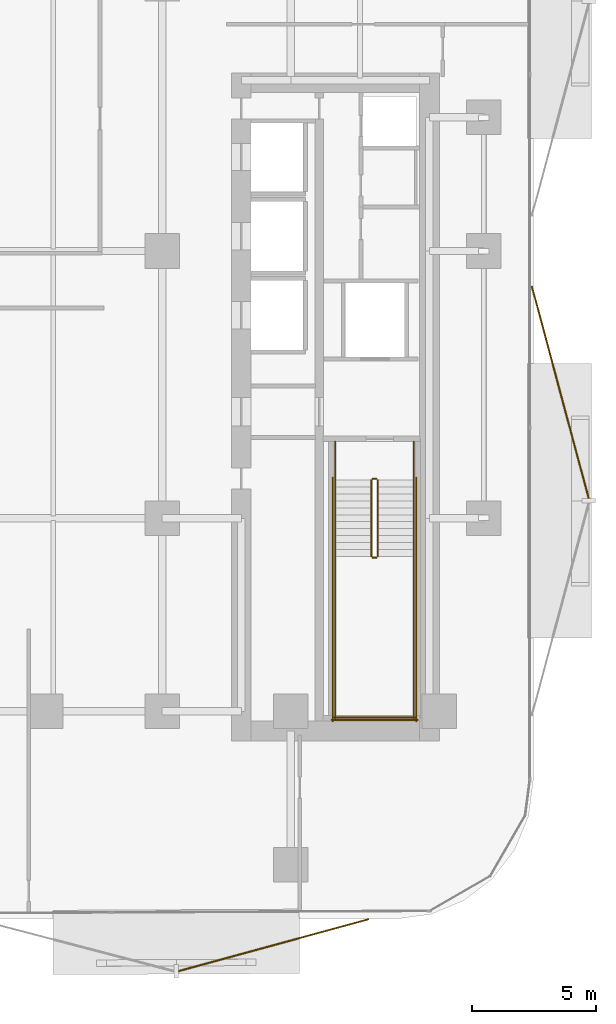
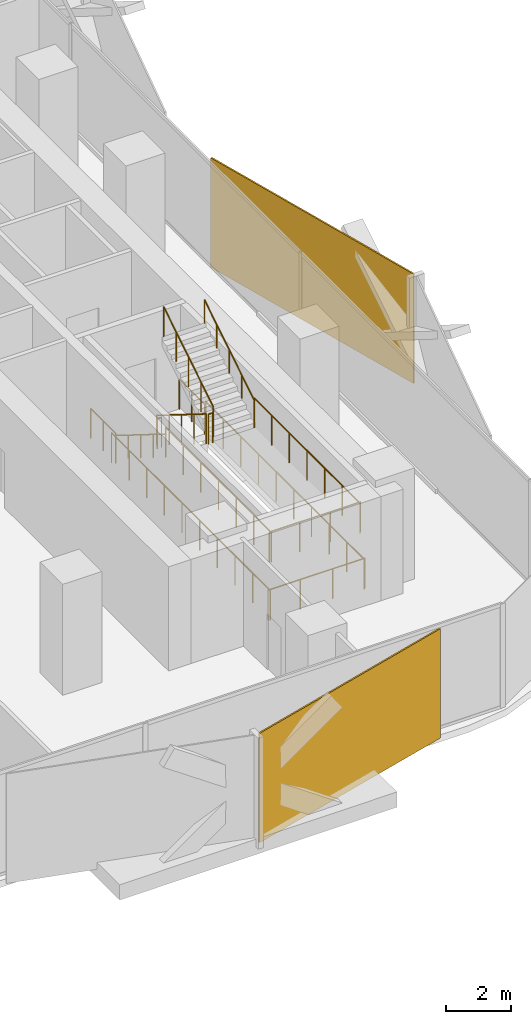
# One storey, part 14 of 16: 14 railings, 2 coverings.
"""IFC4 building model written with IfcOpenShell, lengths in metres."""

from ifc_helpers import new_model, si_unit, direction, frame, origin, origin_2d, place, context, subcontext, project, spatial, rectangle, circle, extrude, material, layer, layer_set, type_object, element, save


model = new_model("IFC4")

# Units and contexts
model_context = context("Model", 3, precision=1e-05, world=origin(), true_north=direction((0.0, 1.0)))
body_context = subcontext(model_context, "Body", "Model", "MODEL_VIEW")
ifc_project = project(units=[si_unit("LENGTHUNIT", "METRE"), si_unit("AREAUNIT", "SQUARE_METRE"), si_unit("VOLUMEUNIT", "CUBIC_METRE"), si_unit("PLANEANGLEUNIT", "RADIAN"), si_unit("MASSUNIT", "GRAM", prefix="KILO")], contexts=[model_context])

# Site, building, storey
site_placement = place(None, origin())
site = spatial("IfcSite", under=ifc_project, at=site_placement, CompositionType="ELEMENT")
building_placement = place(site_placement, origin())
building = spatial("IfcBuilding", under=site, at=building_placement, Name="Khairoan Windgate Tower", CompositionType="ELEMENT")
storey_placement = place(building_placement, frame((0.0, 0.0, 55.39990234375)))
storey = spatial("IfcBuildingStorey", under=building, at=storey_placement, Name="L13", CompositionType="ELEMENT", Elevation=55.39990234375)

# Coverings
ifc_material_1 = material(Name="Anodised Bronze Aluminium 6063-T6", Category="aluminium")
ifc_layer = layer(ifc_material_1, 0.054931640625, Name="Anodised Bronze Aluminium 6063-T6")
ifc_layer_set = layer_set([ifc_layer], Name="Anodised Bronze Aluminium 6063-T6")
covering_type = type_object("IfcCoveringType", Name="Perforated Bronze-Ceramic Folded Solar Screen Cladding BSC-1", PredefinedType="CLADDING", material=ifc_layer_set)
covering_1_placement = place(storey_placement, frame((13.705322265625, -28.052734375, -0.099609375), z_axis=(0.0, 0.0, 1.0), x_axis=(-0.964649468762, -0.263536339841, 0.0)))
element("IfcCovering", 1, at=covering_1_placement, inside=storey, type_object=covering_type, Name="L13 Folded Bronze Solar Screen Facet 57L", PredefinedType="CLADDING", context=body_context, shape_type="SweptSolid", body=[
    extrude(rectangle(XDim=7.965087890625, YDim=0.054931640625, at=origin_2d()), origin(), (0.0, 0.0, 1.0), 4.139892578125),
])
covering_2_placement = place(storey_placement, frame((25.290283203125, -5.71484375, -0.099609375), z_axis=(0.0, 0.0, 1.0), x_axis=(0.258819045103, -0.965925826289, 0.0)))
element("IfcCovering", 2, at=covering_2_placement, inside=storey, type_object=covering_type, Name="L13 Folded Bronze Solar Screen Facet 64L", PredefinedType="CLADDING", context=body_context, shape_type="SweptSolid", body=[
    extrude(rectangle(XDim=8.884033203125, YDim=0.054931640625, at=origin_2d()), origin(), (0.0, 0.0, 1.0), 4.139892578125),
])

# Railings
ifc_material_2 = material(Name="Anodised Bronze Aluminium 6063-T6", Category="aluminium")
railing_type_1 = type_object("IfcRailingType", Name="Stair Wall Handrail SHR-900", PredefinedType="HANDRAIL", material=ifc_material_2)
railing_1_placement = place(storey_placement, frame((16.199951171875, -9.260009765625, 0.175048828125)))
element("IfcRailing", 3, at=railing_1_placement, inside=storey, type_object=railing_type_1, Name="L13 ST1 stair handrail 1", PredefinedType="HANDRAIL", context=body_context, shape_type="SweptSolid", body=[
    extrude(circle(Radius=0.02392578125, at=origin_2d()), frame((0.0, 0.0, 0.8759765625), z_axis=(0.0, -0.847998304005, 0.529998940003), x_axis=(1.0, 0.0, 0.0)), (0.0, 0.0, 1.0), 3.632080078125),
    extrude(circle(Radius=0.02099609375, at=origin_2d()), origin(), (0.0, 0.0, 1.0), 0.851806640625),
    extrude(circle(Radius=0.02099609375, at=origin_2d()), frame((0.0, -0.77001953125, 0.481201171875)), (0.0, 0.0, 1.0), 0.851806640625),
    extrude(circle(Radius=0.02099609375, at=origin_2d()), frame((0.0, -1.5400390625, 0.96240234375)), (0.0, 0.0, 1.0), 0.851806640625),
    extrude(circle(Radius=0.02099609375, at=origin_2d()), frame((0.0, -2.31005859375, 1.44384765625)), (0.0, 0.0, 1.0), 0.851806640625),
    extrude(circle(Radius=0.02099609375, at=origin_2d()), frame((0.0, -3.080078125, 1.925048828125)), (0.0, 0.0, 1.0), 0.851806640625),
])
railing_2_placement = place(storey_placement, frame((19.3701171875, -12.340087890625, 2.275146484375)))
element("IfcRailing", 4, at=railing_2_placement, inside=storey, type_object=railing_type_1, Name="L13 ST1 stair handrail 2", PredefinedType="HANDRAIL", context=body_context, shape_type="SweptSolid", body=[
    extrude(circle(Radius=0.02392578125, at=origin_2d()), frame((0.0, 0.0, 0.8759765625), z_axis=(0.0, 0.847998304005, 0.529998940003), x_axis=(-1.0, 0.0, 0.0)), (0.0, 0.0, 1.0), 3.632080078125),
    extrude(circle(Radius=0.02099609375, at=origin_2d()), origin(), (0.0, 0.0, 1.0), 0.851806640625),
    extrude(circle(Radius=0.02099609375, at=origin_2d()), frame((0.0, 0.77001953125, 0.481201171875)), (0.0, 0.0, 1.0), 0.851806640625),
    extrude(circle(Radius=0.02099609375, at=origin_2d()), frame((0.0, 1.5400390625, 0.96240234375)), (0.0, 0.0, 1.0), 0.851806640625),
    extrude(circle(Radius=0.02099609375, at=origin_2d()), frame((0.0, 2.31005859375, 1.44384765625)), (0.0, 0.0, 1.0), 0.851806640625),
    extrude(circle(Radius=0.02099609375, at=origin_2d()), frame((0.0, 3.080078125, 1.925048828125)), (0.0, 0.0, 1.0), 0.851806640625),
])
ifc_material_3 = material(Name="Steel S355", Category="steel")
railing_type_2 = type_object("IfcRailingType", Name="Stairwell Safety Guardrail SGR-1150", PredefinedType="GUARDRAIL", material=ifc_material_3)
railing_3_placement = place(storey_placement, frame((17.659912109375, -9.260009765625, 0.175048828125)))
element("IfcRailing", 5, at=railing_3_placement, inside=storey, type_object=railing_type_2, Name="L13 ST1 stair guard 1", PredefinedType="GUARDRAIL", context=body_context, shape_type="SweptSolid", body=[
    extrude(circle(Radius=0.02392578125, at=origin_2d()), frame((0.0, 0.0, 1.1259765625), z_axis=(0.0, -0.847998304005, 0.529998940003), x_axis=(1.0, 0.0, 0.0)), (0.0, 0.0, 1.0), 3.632080078125),
    extrude(circle(Radius=0.02099609375, at=origin_2d()), origin(), (0.0, 0.0, 1.0), 1.101806640625),
    extrude(circle(Radius=0.02099609375, at=origin_2d()), frame((0.0, -0.77001953125, 0.481201171875)), (0.0, 0.0, 1.0), 1.101806640625),
    extrude(circle(Radius=0.02099609375, at=origin_2d()), frame((0.0, -1.5400390625, 0.96240234375)), (0.0, 0.0, 1.0), 1.101806640625),
    extrude(circle(Radius=0.02099609375, at=origin_2d()), frame((0.0, -2.31005859375, 1.44384765625)), (0.0, 0.0, 1.0), 1.101806640625),
    extrude(circle(Radius=0.02099609375, at=origin_2d()), frame((0.0, -3.080078125, 1.925048828125)), (0.0, 0.0, 1.0), 1.101806640625),
])
railing_4_placement = place(storey_placement, frame((17.7099609375, -12.389892578125, 2.10009765625)))
element("IfcRailing", 6, at=railing_4_placement, inside=storey, type_object=railing_type_2, Name="L13 ST1 stair guard 2", PredefinedType="GUARDRAIL", context=body_context, shape_type="SweptSolid", body=[
    extrude(circle(Radius=0.02392578125, at=origin_2d()), frame((0.0, 0.0, 1.1259765625), z_axis=(1.0, 0.0, 0.0), x_axis=(0.0, 1.0, 0.0)), (0.0, 0.0, 1.0), 0.150146484375),
    extrude(circle(Radius=0.02099609375, at=origin_2d()), origin(), (0.0, 0.0, 1.0), 1.101806640625),
    extrude(circle(Radius=0.02099609375, at=origin_2d()), frame((0.150146484375, 0.0, 0.0)), (0.0, 0.0, 1.0), 1.101806640625),
])
for number, where, name in (
    (7, (16.199951171875, -12.340087890625, 2.10009765625), "L13 ST1 stair guard 3"),
    (8, (19.3701171875, -12.340087890625, 2.10009765625), "L13 ST1 stair guard 4"),
):
    element("IfcRailing", number, at=place(storey_placement, frame(where)), inside=storey, type_object=railing_type_2, Name=name, PredefinedType="GUARDRAIL", context=body_context, shape_type="SweptSolid", body=[
        extrude(circle(Radius=0.02392578125, at=origin_2d()), frame((0.0, 0.0, 1.1259765625), z_axis=(0.0, -1.0, 0.0), x_axis=(1.0, 0.0, 0.0)), (0.0, 0.0, 1.0), 6.559814453125),
        extrude(circle(Radius=0.02099609375, at=origin_2d()), origin(), (0.0, 0.0, 1.0), 1.101806640625),
        extrude(circle(Radius=0.02099609375, at=origin_2d()), frame((0.0, -1.09326171875, 0.0)), (0.0, 0.0, 1.0), 1.101806640625),
        extrude(circle(Radius=0.02099609375, at=origin_2d()), frame((0.0, -2.1865234375, 0.0)), (0.0, 0.0, 1.0), 1.101806640625),
        extrude(circle(Radius=0.02099609375, at=origin_2d()), frame((0.0, -3.27978515625, 0.0)), (0.0, 0.0, 1.0), 1.101806640625),
        extrude(circle(Radius=0.02099609375, at=origin_2d()), frame((0.0, -4.373291015625, 0.0)), (0.0, 0.0, 1.0), 1.101806640625),
        extrude(circle(Radius=0.02099609375, at=origin_2d()), frame((0.0, -5.466552734375, 0.0)), (0.0, 0.0, 1.0), 1.101806640625),
        extrude(circle(Radius=0.02099609375, at=origin_2d()), frame((0.0, -6.559814453125, 0.0)), (0.0, 0.0, 1.0), 1.101806640625),
    ])
railing_5_placement = place(storey_placement, frame((16.14990234375, -18.85009765625, 2.10009765625)))
element("IfcRailing", 9, at=railing_5_placement, inside=storey, type_object=railing_type_2, Name="L13 ST1 stair guard 5", PredefinedType="GUARDRAIL", context=body_context, shape_type="SweptSolid", body=[
    extrude(circle(Radius=0.02392578125, at=origin_2d()), frame((0.0, 0.0, 1.1259765625), z_axis=(1.0, 0.0, 0.0), x_axis=(0.0, 1.0, 0.0)), (0.0, 0.0, 1.0), 3.27001953125),
    extrude(circle(Radius=0.02099609375, at=origin_2d()), origin(), (0.0, 0.0, 1.0), 1.101806640625),
    extrude(circle(Radius=0.02099609375, at=origin_2d()), frame((1.090087890625, 0.0, 0.0)), (0.0, 0.0, 1.0), 1.101806640625),
    extrude(circle(Radius=0.02099609375, at=origin_2d()), frame((2.179931640625, 0.0, 0.0)), (0.0, 0.0, 1.0), 1.101806640625),
    extrude(circle(Radius=0.02099609375, at=origin_2d()), frame((3.27001953125, 0.0, 0.0)), (0.0, 0.0, 1.0), 1.101806640625),
])
railing_6_placement = place(storey_placement, frame((17.909912109375, -12.340087890625, 2.275146484375)))
element("IfcRailing", 10, at=railing_6_placement, inside=storey, type_object=railing_type_2, Name="L13 ST1 stair guard 6", PredefinedType="GUARDRAIL", context=body_context, shape_type="SweptSolid", body=[
    extrude(circle(Radius=0.02392578125, at=origin_2d()), frame((0.0, 0.0, 1.1259765625), z_axis=(0.0, 0.847998304005, 0.529998940003), x_axis=(-1.0, 0.0, 0.0)), (0.0, 0.0, 1.0), 3.632080078125),
    extrude(circle(Radius=0.02099609375, at=origin_2d()), origin(), (0.0, 0.0, 1.0), 1.101806640625),
    extrude(circle(Radius=0.02099609375, at=origin_2d()), frame((0.0, 0.77001953125, 0.481201171875)), (0.0, 0.0, 1.0), 1.101806640625),
    extrude(circle(Radius=0.02099609375, at=origin_2d()), frame((0.0, 1.5400390625, 0.96240234375)), (0.0, 0.0, 1.0), 1.101806640625),
    extrude(circle(Radius=0.02099609375, at=origin_2d()), frame((0.0, 2.31005859375, 1.44384765625)), (0.0, 0.0, 1.0), 1.101806640625),
    extrude(circle(Radius=0.02099609375, at=origin_2d()), frame((0.0, 3.080078125, 1.925048828125)), (0.0, 0.0, 1.0), 1.101806640625),
])
railing_7_placement = place(storey_placement, frame((17.7099609375, -9.2099609375, 0.0)))
element("IfcRailing", 11, at=railing_7_placement, inside=storey, type_object=railing_type_2, Name="L13 ST1 stair guard 7", PredefinedType="GUARDRAIL", context=body_context, shape_type="SweptSolid", body=[
    extrude(circle(Radius=0.02392578125, at=origin_2d()), frame((0.0, 0.0, 1.1259765625), z_axis=(1.0, 0.0, 0.0), x_axis=(0.0, 1.0, 0.0)), (0.0, 0.0, 1.0), 0.150146484375),
    extrude(circle(Radius=0.02099609375, at=origin_2d()), origin(), (0.0, 0.0, 1.0), 1.101806640625),
    extrude(circle(Radius=0.02099609375, at=origin_2d()), frame((0.150146484375, 0.0, 0.0)), (0.0, 0.0, 1.0), 1.101806640625),
])
for number, where, name in (
    (12, (16.199951171875, -7.699951171875, 0.0), "L13 ST1 stair guard 8"),
    (13, (19.3701171875, -7.699951171875, 0.0), "L13 ST1 stair guard 9"),
):
    element("IfcRailing", number, at=place(storey_placement, frame(where)), inside=storey, type_object=railing_type_2, Name=name, PredefinedType="GUARDRAIL", context=body_context, shape_type="SweptSolid", body=[
        extrude(circle(Radius=0.02392578125, at=origin_2d()), frame((0.0, 0.0, 1.1259765625), z_axis=(0.0, -1.0, 0.0), x_axis=(1.0, 0.0, 0.0)), (0.0, 0.0, 1.0), 1.56005859375),
        extrude(circle(Radius=0.02099609375, at=origin_2d()), origin(), (0.0, 0.0, 1.0), 1.101806640625),
        extrude(circle(Radius=0.02099609375, at=origin_2d()), frame((0.0, -0.780029296875, 0.0)), (0.0, 0.0, 1.0), 1.101806640625),
        extrude(circle(Radius=0.02099609375, at=origin_2d()), frame((0.0, -1.56005859375, 0.0)), (0.0, 0.0, 1.0), 1.101806640625),
    ])
for number, where, name in (
    (14, (16.10009765625, -9.159912109375, 0.0), "L13 ST1 stair guard 10"),
    (15, (19.469970703125, -9.159912109375, 0.0), "L13 ST1 stair guard 11"),
):
    element("IfcRailing", number, at=place(storey_placement, frame(where)), inside=storey, type_object=railing_type_2, Name=name, PredefinedType="GUARDRAIL", context=body_context, shape_type="SweptSolid", body=[
        extrude(circle(Radius=0.02392578125, at=origin_2d()), frame((0.0, 0.0, 1.1259765625), z_axis=(0.0, -1.0, 0.0), x_axis=(1.0, 0.0, 0.0)), (0.0, 0.0, 1.0), 9.840087890625),
        extrude(circle(Radius=0.02099609375, at=origin_2d()), origin(), (0.0, 0.0, 1.0), 1.101806640625),
        extrude(circle(Radius=0.02099609375, at=origin_2d()), frame((0.0, -1.09326171875, 0.0)), (0.0, 0.0, 1.0), 1.101806640625),
        extrude(circle(Radius=0.02099609375, at=origin_2d()), frame((0.0, -2.186767578125, 0.0)), (0.0, 0.0, 1.0), 1.101806640625),
        extrude(circle(Radius=0.02099609375, at=origin_2d()), frame((0.0, -3.280029296875, 0.0)), (0.0, 0.0, 1.0), 1.101806640625),
        extrude(circle(Radius=0.02099609375, at=origin_2d()), frame((0.0, -4.373291015625, 0.0)), (0.0, 0.0, 1.0), 1.101806640625),
        extrude(circle(Radius=0.02099609375, at=origin_2d()), frame((0.0, -5.466796875, 0.0)), (0.0, 0.0, 1.0), 1.101806640625),
        extrude(circle(Radius=0.02099609375, at=origin_2d()), frame((0.0, -6.56005859375, 0.0)), (0.0, 0.0, 1.0), 1.101806640625),
        extrude(circle(Radius=0.02099609375, at=origin_2d()), frame((0.0, -7.6533203125, 0.0)), (0.0, 0.0, 1.0), 1.101806640625),
        extrude(circle(Radius=0.02099609375, at=origin_2d()), frame((0.0, -8.746826171875, 0.0)), (0.0, 0.0, 1.0), 1.101806640625),
        extrude(circle(Radius=0.02099609375, at=origin_2d()), frame((0.0, -9.840087890625, 0.0)), (0.0, 0.0, 1.0), 1.101806640625),
    ])
railing_8_placement = place(storey_placement, frame((16.050048828125, -18.949951171875, 0.0)))
element("IfcRailing", 16, at=railing_8_placement, inside=storey, type_object=railing_type_2, Name="L13 ST1 stair guard 12", PredefinedType="GUARDRAIL", context=body_context, shape_type="SweptSolid", body=[
    extrude(circle(Radius=0.02392578125, at=origin_2d()), frame((0.0, 0.0, 1.1259765625), z_axis=(1.0, 0.0, 0.0), x_axis=(0.0, 1.0, 0.0)), (0.0, 0.0, 1.0), 3.469970703125),
    extrude(circle(Radius=0.02099609375, at=origin_2d()), origin(), (0.0, 0.0, 1.0), 1.101806640625),
    extrude(circle(Radius=0.02099609375, at=origin_2d()), frame((1.15673828125, 0.0, 0.0)), (0.0, 0.0, 1.0), 1.101806640625),
    extrude(circle(Radius=0.02099609375, at=origin_2d()), frame((2.313232421875, 0.0, 0.0)), (0.0, 0.0, 1.0), 1.101806640625),
    extrude(circle(Radius=0.02099609375, at=origin_2d()), frame((3.469970703125, 0.0, 0.0)), (0.0, 0.0, 1.0), 1.101806640625),
])

save(model, "model.ifc")
